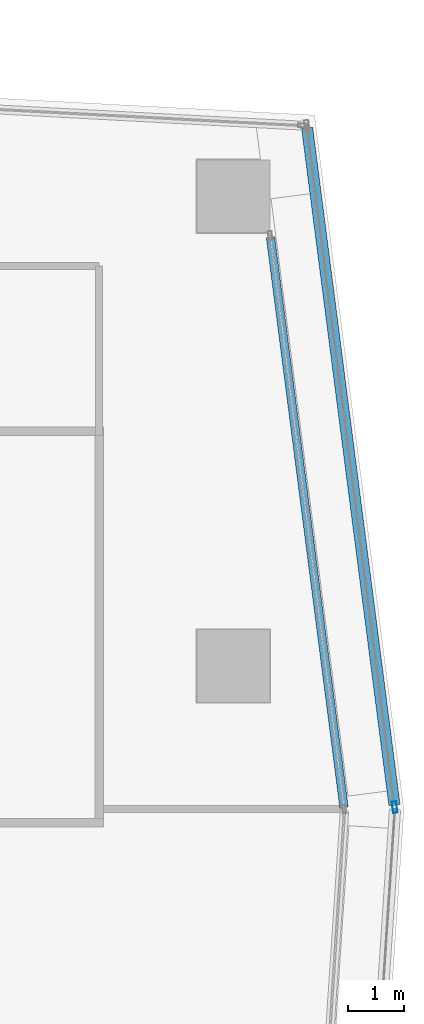
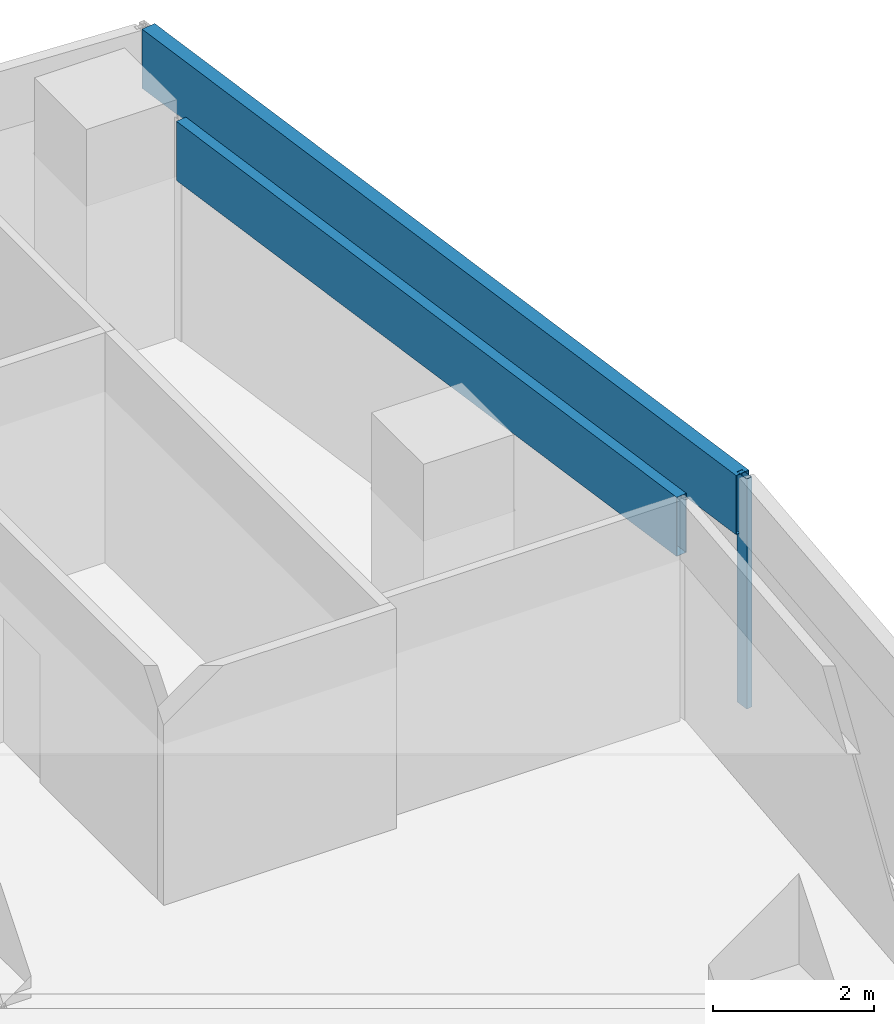
# One storey, part 14 of 29: 3 members, 2 elements without a shape of their own.
"""IFC4 building model written with IfcOpenShell, lengths in metres."""

from ifc_helpers import new_model, si_unit, direction, frame, origin, origin_2d, place, context, subcontext, project, spatial, hollow_rectangle, extrude, material, material_profile, profile_set, type_object, element, aggregate, save


model = new_model("IFC4")

# Units and contexts
model_context = context("Model", 3, precision=1e-05, world=origin(), true_north=direction((0.0, 1.0)))
body_context = subcontext(model_context, "Body", "Model", "MODEL_VIEW")
ifc_project = project(units=[si_unit("LENGTHUNIT", "METRE"), si_unit("AREAUNIT", "SQUARE_METRE"), si_unit("VOLUMEUNIT", "CUBIC_METRE"), si_unit("PLANEANGLEUNIT", "RADIAN"), si_unit("MASSUNIT", "GRAM", prefix="KILO")], contexts=[model_context])

# Site, building, storey
site_placement = place(None, origin())
site = spatial("IfcSite", under=ifc_project, at=site_placement, CompositionType="ELEMENT")
building_placement = place(site_placement, origin())
building = spatial("IfcBuilding", under=site, at=building_placement, Name="Rekha Terrace Tower", CompositionType="ELEMENT")
storey_placement = place(building_placement, frame((0.0, 0.0, 261.35009765625)))
storey = spatial("IfcBuildingStorey", under=building, at=storey_placement, Name="L66", CompositionType="ELEMENT", Elevation=261.35009765625)

# Curtain wall, member
ifc_material_1 = material(Name="Aluminium framing", Category="aluminium")
curtain_wall_type_1 = type_object("IfcCurtainWallType", Name="CW1 double skin inner glazing", PredefinedType="USERDEFINED", material=ifc_material_1)
curtain_wall_1_placement = place(storey_placement, origin())
curtain_wall_1 = element("IfcCurtainWall", 1, at=curtain_wall_1_placement, inside=storey, type_object=curtain_wall_type_1, Name="CW1 double skin inner glazing", ObjectType="DOUBLE SKIN INNER GLAZING", PredefinedType="USERDEFINED")
ifc_material_2 = material(Name="Insulated aluminium spandrel box", Category="aluminium")
ifc_material_profile_1 = material_profile(ifc_material_2, hollow_rectangle(XDim=0.14990234375, YDim=0.89990234375, WallThickness=0.0029296875, at=origin_2d()), Name="AL SPANDREL BOX 150x900")
ifc_profile_set_1 = profile_set([ifc_material_profile_1], Name="Insulated aluminium spandrel box")
member_type_1 = type_object("IfcMemberType", Name="CW1 spandrel transom 150 x 900", PredefinedType="USERDEFINED", material=ifc_profile_set_1)
member_1_placement = place(storey_placement, frame((60.777099609375, 39.471435546875, 3.0498046875), z_axis=(-0.127854523912, 0.991792932378, 0.0), x_axis=(-0.991792932378, -0.127854523912, 0.0)))
member_1 = element("IfcMember", 2, at=member_1_placement, type_object=member_type_1, Name="CW1 spandrel transom 1", ObjectType="TRANSOM", PredefinedType="USERDEFINED", context=body_context, shape_type="SweptSolid", body=[
    extrude(hollow_rectangle(XDim=0.14990234375, YDim=0.89990234375, WallThickness=0.0029296875, at=origin_2d()), origin(), (0.0, 0.0, 1.0), 10.279052734375),
])
aggregate(curtain_wall_1, [member_1])

# Curtain wall, members
curtain_wall_type_2 = type_object("IfcCurtainWallType", Name="CW2 double skin outer glazing", PredefinedType="USERDEFINED", material=ifc_material_1)
curtain_wall_2_placement = place(storey_placement, origin())
curtain_wall_2 = element("IfcCurtainWall", 3, at=curtain_wall_2_placement, inside=storey, type_object=curtain_wall_type_2, Name="CW2 double skin outer glazing", ObjectType="DOUBLE SKIN OUTER GLAZING", PredefinedType="USERDEFINED")
ifc_material_3 = material(Name="Aluminium mullion section", Category="aluminium")
ifc_material_profile_2 = material_profile(ifc_material_3, hollow_rectangle(XDim=0.080078125, YDim=0.199951171875, WallThickness=0.00390625, at=origin_2d()), Name="AL RHS 80x200")
ifc_profile_set_2 = profile_set([ifc_material_profile_2], Name="Aluminium mullion section")
member_type_2 = type_object("IfcMemberType", Name="CW2 mullion RHS 80 x 200", PredefinedType="MULLION", material=ifc_profile_set_2)
member_2_placement = place(storey_placement, frame((61.68408203125, 39.474609375, 0.0), z_axis=(0.0, 0.0, 1.0), x_axis=(-0.991790949459, -0.12786990487, 0.0)))
member_2 = element("IfcMember", 4, at=member_2_placement, type_object=member_type_2, Name="CW2 mullion 1", PredefinedType="MULLION", context=body_context, shape_type="SweptSolid", body=[
    extrude(hollow_rectangle(XDim=0.080078125, YDim=0.199951171875, WallThickness=0.00390625, at=origin_2d()), origin(), (0.0, 0.0, 1.0), 3.5),
])
ifc_material_profile_3 = material_profile(ifc_material_2, hollow_rectangle(XDim=0.199951171875, YDim=0.89990234375, WallThickness=0.0029296875, at=origin_2d()), Name="AL SPANDREL BOX 200x900")
ifc_profile_set_3 = profile_set([ifc_material_profile_3], Name="Insulated aluminium spandrel box")
member_type_3 = type_object("IfcMemberType", Name="CW2 spandrel transom 200 x 900", PredefinedType="USERDEFINED", material=ifc_profile_set_3)
member_3_placement = place(storey_placement, frame((61.67919921875, 39.514404296875, 3.0498046875), z_axis=(-0.127874852181, 0.991790311598, 0.0), x_axis=(-0.991790311598, -0.127874852181, 0.0)))
member_3 = element("IfcMember", 5, at=member_3_placement, type_object=member_type_3, Name="CW2 spandrel transom 1", ObjectType="TRANSOM", PredefinedType="USERDEFINED", context=body_context, shape_type="SweptSolid", body=[
    extrude(hollow_rectangle(XDim=0.199951171875, YDim=0.89990234375, WallThickness=0.0029296875, at=origin_2d()), origin(), (0.0, 0.0, 1.0), 12.20361328125),
])
aggregate(curtain_wall_2, [member_2, member_3])

save(model, "model.ifc")
